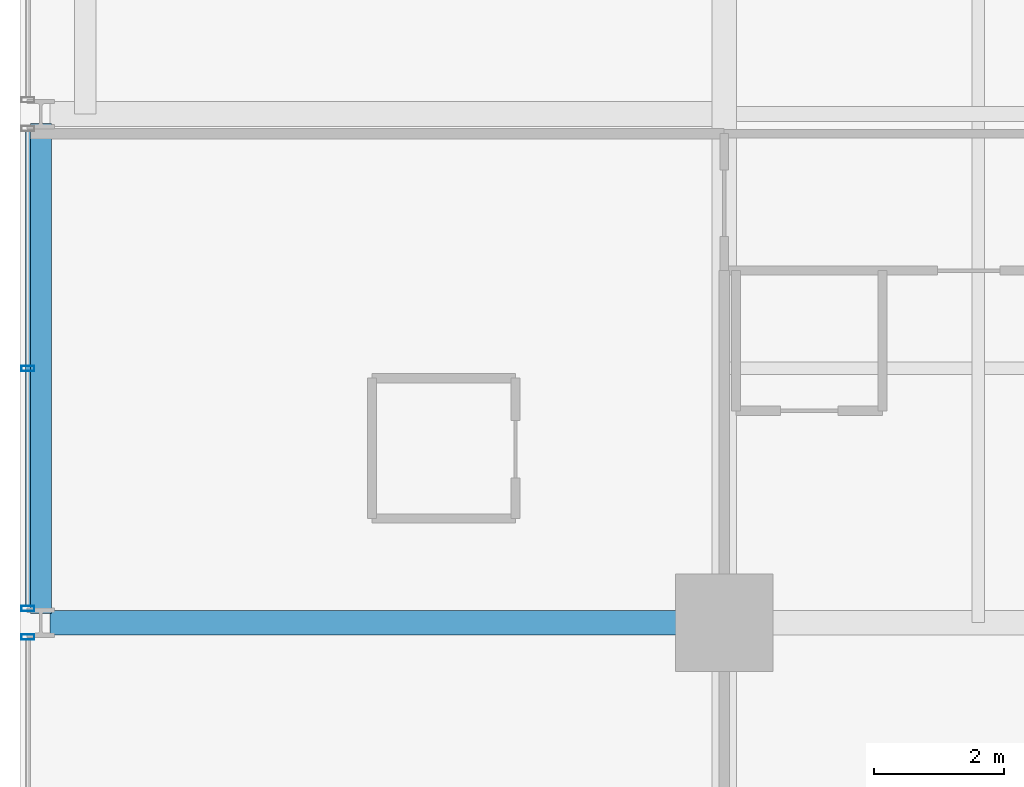
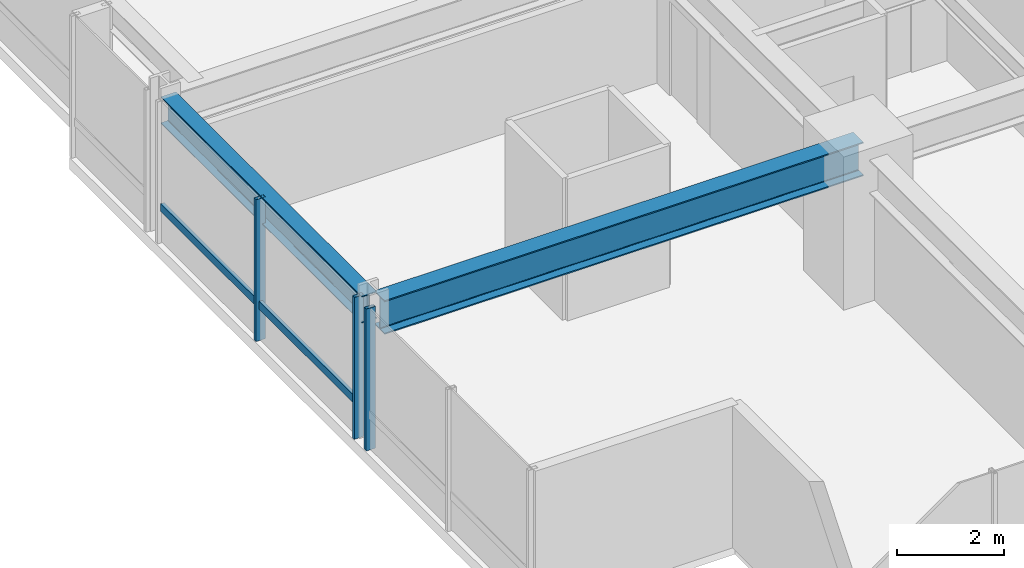
# One storey, part 4 of 35: 4 members, 2 beams, 2 elements without a shape of their own.
"""IFC4 building model written with IfcOpenShell, lengths in metres."""

from ifc_helpers import new_model, si_unit, direction, frame, origin, origin_2d, place, context, subcontext, project, spatial, hollow_rectangle, i_section, extrude, material, layer, layer_set, material_profile, profile_set, type_object, element, aggregate, save


model = new_model("IFC4")

# Units and contexts
model_context = context("Model", 3, precision=1e-05, world=origin(), true_north=direction((0.0, 1.0)))
body_context = subcontext(model_context, "Body", "Model", "MODEL_VIEW")
ifc_project = project(units=[si_unit("LENGTHUNIT", "METRE"), si_unit("AREAUNIT", "SQUARE_METRE"), si_unit("VOLUMEUNIT", "CUBIC_METRE"), si_unit("PLANEANGLEUNIT", "RADIAN"), si_unit("MASSUNIT", "GRAM", prefix="KILO")], contexts=[model_context])

# Site, building, storey
site_placement = place(None, origin())
site = spatial("IfcSite", under=ifc_project, at=site_placement, CompositionType="ELEMENT")
building_placement = place(site_placement, origin())
building = spatial("IfcBuilding", under=site, at=building_placement, Name="Drelvath Grand Hotel", CompositionType="ELEMENT")
storey_placement = place(building_placement, frame((0.0, 0.0, 95.300048828125)))
storey = spatial("IfcBuildingStorey", under=building, at=storey_placement, Name="L23", CompositionType="ELEMENT", Elevation=95.300048828125)

# Curtain wall, member
ifc_material_1 = material(Name="Champagne Bronze Anodised Aluminium Frame", Category="aluminium")
ifc_layer = layer(ifc_material_1, 0.199951171875)
ifc_layer_set = layer_set([ifc_layer], Name="Champagne Bronze Anodised Aluminium Frame")
curtain_wall_type = type_object("IfcCurtainWallType", Name="Stick Curtain Wall CW-03 Champagne Bronze Mid-Rise", PredefinedType="NOTDEFINED", material=ifc_layer_set)
curtain_wall_1_placement = place(storey_placement, origin())
curtain_wall_1 = element("IfcCurtainWall", 1, at=curtain_wall_1_placement, inside=storey, type_object=curtain_wall_type, Name="L23 CW-03 Curtain Wall CW03-L23-WS2", PredefinedType="NOTDEFINED")
ifc_material_profile_1 = material_profile(ifc_material_1, hollow_rectangle(XDim=0.074951171875, YDim=0.179931640625, WallThickness=0.0048828125, at=origin_2d()), Name="HSS180X75X5")
ifc_profile_set_1 = profile_set([ifc_material_profile_1], Name="Champagne Bronze Anodised Aluminium Frame")
member_type_1 = type_object("IfcMemberType", Name="Curtain Wall Horizontal Transom CW-03 HSS180X75X5", PredefinedType="USERDEFINED", material=ifc_profile_set_1)
member_1_placement = place(storey_placement, frame((-26.8798828125, 11.0595703125, 0.81005859375), z_axis=(0.0, 1.0, 0.0), x_axis=(-1.0, 0.0, 0.0)))
member_1 = element("IfcMember", 2, at=member_1_placement, type_object=member_type_1, Name="CW03-L23-WS2 Sill Transom", ObjectType="TRANSOM", PredefinedType="USERDEFINED", context=body_context, shape_type="SweptSolid", body=[
    extrude(hollow_rectangle(XDim=0.074951171875, YDim=0.179931640625, WallThickness=0.0048828125, at=origin_2d()), origin(), (0.0, 0.0, 1.0), 7.28076171875),
])

curtain_wall_2_placement = place(storey_placement, origin())
curtain_wall_2 = element("IfcCurtainWall", 3, at=curtain_wall_2_placement, inside=storey, type_object=curtain_wall_type, Name="L23 CW-03 Curtain Wall CW03-L23-WS1", PredefinedType="NOTDEFINED")
ifc_material_profile_2 = material_profile(ifc_material_1, hollow_rectangle(XDim=0.080078125, YDim=0.199951171875, WallThickness=0.0048828125, at=origin_2d()), Name="HSS200X80X5")
ifc_profile_set_2 = profile_set([ifc_material_profile_2], Name="Champagne Bronze Anodised Aluminium Frame")
member_type_2 = type_object("IfcMemberType", Name="Curtain Wall Vertical Mullion CW-03 HSS200X80X5", PredefinedType="MULLION", material=ifc_profile_set_2)
member_2_placement = place(storey_placement, frame((-26.8798828125, 10.580322265625, 0.0), z_axis=(0.0, 0.0, 1.0), x_axis=(0.0, 1.0, 0.0)))
member_2 = element("IfcMember", 4, at=member_2_placement, type_object=member_type_2, Name="CW03-L23-WS1 Mullion 3", PredefinedType="MULLION", context=body_context, shape_type="SweptSolid", body=[
    extrude(hollow_rectangle(XDim=0.080078125, YDim=0.199951171875, WallThickness=0.0048828125, at=origin_2d()), origin(), (0.0, 0.0, 1.0), 3.239990234375),
])
aggregate(curtain_wall_2, [member_2])

# Member
member_3_placement = place(storey_placement, frame((-26.8798828125, 11.01953125, 0.0), z_axis=(0.0, 0.0, 1.0), x_axis=(0.0, 1.0, 0.0)))
member_3 = element("IfcMember", 5, at=member_3_placement, type_object=member_type_2, Name="CW03-L23-WS2 Mullion 1", PredefinedType="MULLION", context=body_context, shape_type="SweptSolid", body=[
    extrude(hollow_rectangle(XDim=0.080078125, YDim=0.199951171875, WallThickness=0.0048828125, at=origin_2d()), origin(), (0.0, 0.0, 1.0), 3.239990234375),
])

member_4_placement = place(storey_placement, frame((-26.8798828125, 14.699951171875, 0.0), z_axis=(0.0, 0.0, 1.0), x_axis=(0.0, 1.0, 0.0)))
member_4 = element("IfcMember", 6, at=member_4_placement, type_object=member_type_2, Name="CW03-L23-WS2 Mullion 2", PredefinedType="MULLION", context=body_context, shape_type="SweptSolid", body=[
    extrude(hollow_rectangle(XDim=0.080078125, YDim=0.199951171875, WallThickness=0.0048828125, at=origin_2d()), origin(), (0.0, 0.0, 1.0), 3.239990234375),
])

aggregate(curtain_wall_1, [member_3, member_4, member_1])

# Beams
ifc_material_2 = material(Name="Steel ASTM A992 Gr 50", Category="steel")
ifc_material_profile_3 = material_profile(ifc_material_2, i_section(OverallWidth=0.323974609375, OverallDepth=0.611083984375, WebThickness=0.0126953125, FlangeThickness=0.01904296875, FilletRadius=0.02197265625, at=origin_2d()), Name="W24X104")
ifc_profile_set_3 = profile_set([ifc_material_profile_3], Name="Steel ASTM A992 Gr 50")
beam_type_1 = type_object("IfcBeamType", Name="Perimeter Spandrel Beam W24X104", PredefinedType="SPANDREL", material=ifc_profile_set_3)
beam_1_placement = place(storey_placement, frame((-26.679931640625, 10.93994140625, 2.9345703125), z_axis=(0.0, 1.0, 0.0), x_axis=(-1.0, 0.0, 0.0)))
element("IfcBeam", 7, at=beam_1_placement, inside=storey, type_object=beam_type_1, Name="L23 Spandrel West S", PredefinedType="SPANDREL", context=body_context, shape_type="SweptSolid", body=[
    extrude(i_section(OverallWidth=0.323974609375, OverallDepth=0.611083984375, WebThickness=0.0126953125, FlangeThickness=0.01904296875, FilletRadius=0.02197265625, at=origin_2d()), origin(), (0.0, 0.0, 1.0), 7.52001953125),
])
ifc_material_profile_4 = material_profile(ifc_material_2, i_section(OverallWidth=0.380615234375, OverallDepth=0.773193359375, WebThickness=0.0166015625, FlangeThickness=0.027099609375, FilletRadius=0.02490234375, at=origin_2d()), Name="W30X173")
ifc_profile_set_4 = profile_set([ifc_material_profile_4], Name="Steel ASTM A992 Gr 50")
beam_type_2 = type_object("IfcBeamType", Name="Primary Floor Girder W30X173", PredefinedType="BEAM", material=ifc_profile_set_4)
beam_2_placement = place(storey_placement, frame((-26.5400390625, 10.800048828125, 2.853271484375), z_axis=(1.0, 0.0, 0.0), x_axis=(0.0, 1.0, 0.0)))
element("IfcBeam", 8, at=beam_2_placement, inside=storey, type_object=beam_type_2, Name="L23 West Grid Girder C", PredefinedType="BEAM", context=body_context, shape_type="SweptSolid", body=[
    extrude(i_section(OverallWidth=0.380615234375, OverallDepth=0.773193359375, WebThickness=0.0166015625, FlangeThickness=0.027099609375, FilletRadius=0.02490234375, at=origin_2d()), origin(), (0.0, 0.0, 1.0), 10.340087890625),
])

save(model, "model.ifc")
